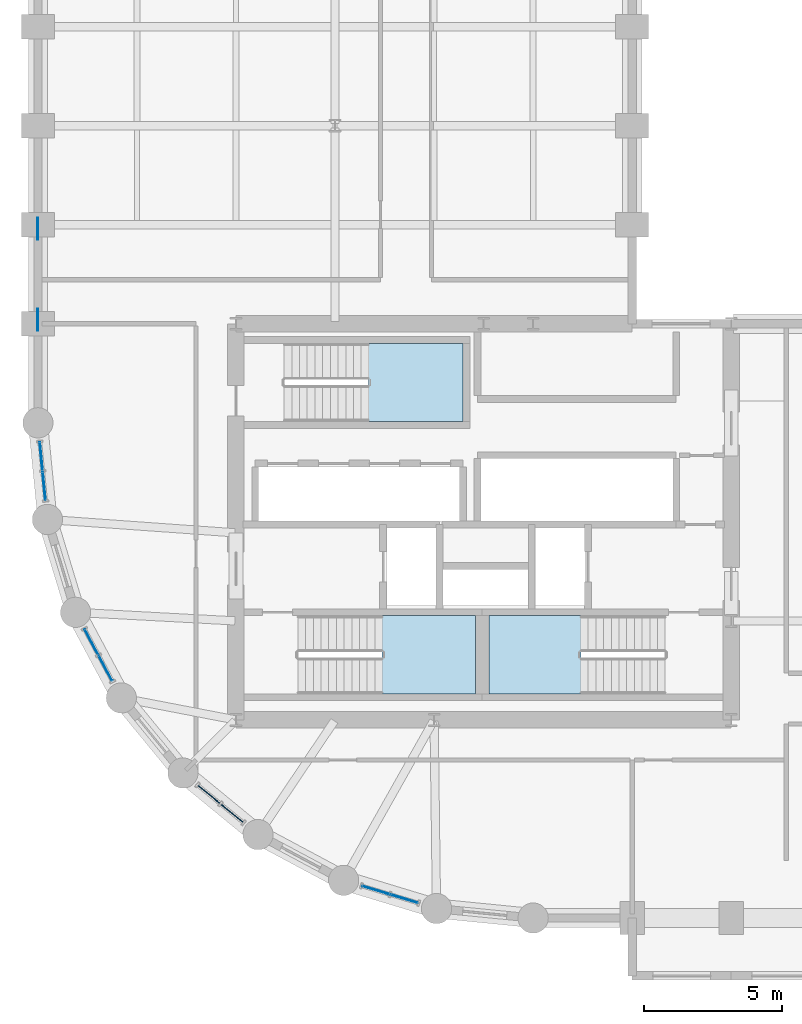
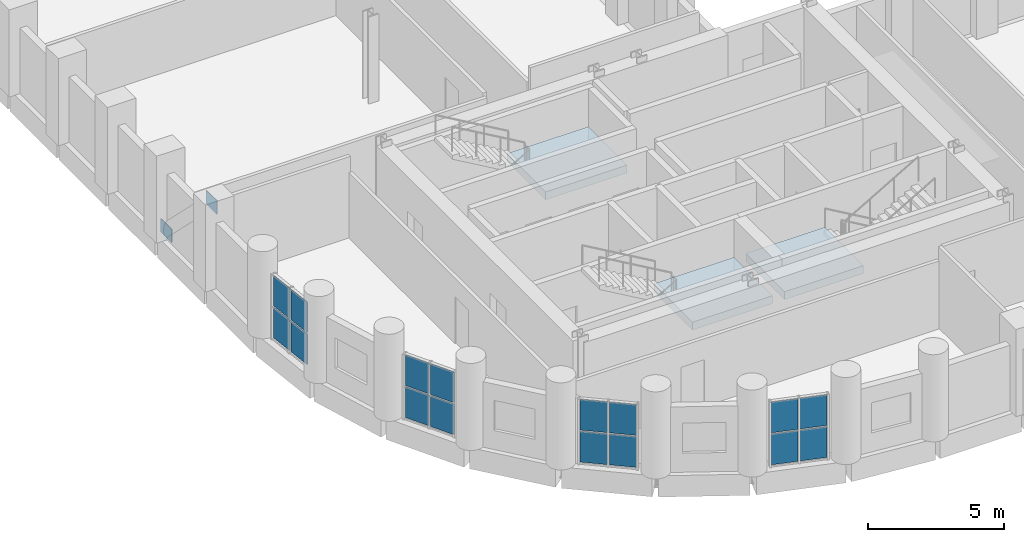
# One storey, part 6 of 12: 18 plates, 3 slabs, 7 elements without a shape of their own.
"""IFC4 building model written with IfcOpenShell, lengths in metres."""

from ifc_helpers import new_model, si_unit, direction, frame, origin, origin_2d, place, context, subcontext, project, spatial, polyline, rectangle, outline, extrude, material, layer, layer_set, type_object, element, aggregate, save


model = new_model("IFC4")

# Units and contexts
model_context = context("Model", 3, precision=1e-05, world=origin(), true_north=direction((0.0, 1.0)))
body_context = subcontext(model_context, "Body", "Model", "MODEL_VIEW")
ifc_project = project(units=[si_unit("LENGTHUNIT", "METRE"), si_unit("AREAUNIT", "SQUARE_METRE"), si_unit("VOLUMEUNIT", "CUBIC_METRE"), si_unit("PLANEANGLEUNIT", "RADIAN"), si_unit("MASSUNIT", "GRAM", prefix="KILO")], contexts=[model_context])

# Site, building, storey
site_placement = place(None, origin())
site = spatial("IfcSite", under=ifc_project, at=site_placement, CompositionType="ELEMENT")
building_placement = place(site_placement, origin())
building = spatial("IfcBuilding", under=site, at=building_placement, Name="Solnavia Interchange Tower", CompositionType="ELEMENT")
storey_placement = place(building_placement, frame((0.0, 0.0, 27.89990234375)))
storey = spatial("IfcBuildingStorey", under=building, at=storey_placement, Name="L06", CompositionType="ELEMENT", Elevation=27.89990234375)

# Curtain wall, plates
ifc_material_1 = material(Name="Aluminium Alloy 6063-T6", Category="aluminium")
ifc_layer_1 = layer(ifc_material_1, 0.239990234375)
ifc_layer_set_1 = layer_set([ifc_layer_1], Name="Aluminium Alloy 6063-T6")
curtain_wall_type = type_object("IfcCurtainWallType", Name="CurtainWall-Drum-CTW2", PredefinedType="NOTDEFINED", material=ifc_layer_set_1)
curtain_wall_1_placement = place(storey_placement, origin())
curtain_wall_1 = element("IfcCurtainWall", 1, at=curtain_wall_1_placement, inside=storey, type_object=curtain_wall_type, Name="CTW-L06-D57 CTW-2 curtain wall", PredefinedType="NOTDEFINED")
ifc_material_2 = material(Name="Double-Glazed Low-E IGU Glass", Category="glass")
ifc_layer_2 = layer(ifc_material_2, 0.031982421875)
ifc_layer_set_2 = layer_set([ifc_layer_2], Name="Double-Glazed Low-E IGU Glass")
plate_type_1 = type_object("IfcPlateType", Name="CW-Panel-Solar-32", PredefinedType="CURTAIN_PANEL", material=ifc_layer_set_2)
plate_1_placement = place(storey_placement, frame((7.319580078125, 20.38623046875, 0.06494140625), z_axis=(0.0, 0.0, 1.0), x_axis=(0.098045297616, -0.995181953019, 0.0)))
plate_1 = element("IfcPlate", 2, at=plate_1_placement, type_object=plate_type_1, Name="CTW-2 panel 1.1", PredefinedType="CURTAIN_PANEL", context=body_context, shape_type="SweptSolid", body=[
    extrude(rectangle(XDim=1.0146484375, YDim=0.031982421875, at=origin_2d()), origin(), (0.0, 0.0, 1.0), 1.367431640625),
])
plate_2_placement = place(storey_placement, frame((7.319580078125, 20.38623046875, 1.49755859375), z_axis=(0.0, 0.0, 1.0), x_axis=(0.098045297616, -0.995181953019, 0.0)))
plate_2 = element("IfcPlate", 3, at=plate_2_placement, type_object=plate_type_1, Name="CTW-2 panel 1.2", PredefinedType="CURTAIN_PANEL", context=body_context, shape_type="SweptSolid", body=[
    extrude(rectangle(XDim=1.0146484375, YDim=0.031982421875, at=origin_2d()), origin(), (0.0, 0.0, 1.0), 1.367431640625),
])
plate_3_placement = place(storey_placement, frame((7.426513671875, 19.3017578125, 0.06494140625), z_axis=(0.0, 0.0, 1.0), x_axis=(0.098045297616, -0.995181953019, 0.0)))
plate_3 = element("IfcPlate", 4, at=plate_3_placement, type_object=plate_type_1, Name="CTW-2 panel 2.1", PredefinedType="CURTAIN_PANEL", context=body_context, shape_type="SweptSolid", body=[
    extrude(rectangle(XDim=1.0146484375, YDim=0.031982421875, at=origin_2d()), origin(), (0.0, 0.0, 1.0), 1.367431640625),
])
plate_4_placement = place(storey_placement, frame((7.426513671875, 19.3017578125, 1.49755859375), z_axis=(0.0, 0.0, 1.0), x_axis=(0.098045297616, -0.995181953019, 0.0)))
plate_4 = element("IfcPlate", 5, at=plate_4_placement, type_object=plate_type_1, Name="CTW-2 panel 2.2", PredefinedType="CURTAIN_PANEL", context=body_context, shape_type="SweptSolid", body=[
    extrude(rectangle(XDim=1.0146484375, YDim=0.031982421875, at=origin_2d()), origin(), (0.0, 0.0, 1.0), 1.367431640625),
])
aggregate(curtain_wall_1, [plate_1, plate_2, plate_3, plate_4])

curtain_wall_2_placement = place(storey_placement, origin())
curtain_wall_2 = element("IfcCurtainWall", 6, at=curtain_wall_2_placement, inside=storey, type_object=curtain_wall_type, Name="CTW-L06-D59 CTW-2 curtain wall", PredefinedType="NOTDEFINED")
plate_5_placement = place(storey_placement, frame((9.14501953125, 13.636474609375, 0.06494140625), z_axis=(0.0, 0.0, 1.0), x_axis=(0.471536719402, -0.881846427818, 0.0)))
plate_5 = element("IfcPlate", 7, at=plate_5_placement, type_object=plate_type_1, Name="CTW-2 panel 1.1", PredefinedType="CURTAIN_PANEL", context=body_context, shape_type="SweptSolid", body=[
    extrude(rectangle(XDim=1.014404296875, YDim=0.031982421875, at=origin_2d()), origin(), (0.0, 0.0, 1.0), 1.367431640625),
])
plate_6_placement = place(storey_placement, frame((9.14501953125, 13.636474609375, 1.49755859375), z_axis=(0.0, 0.0, 1.0), x_axis=(0.471536719402, -0.881846427818, 0.0)))
plate_6 = element("IfcPlate", 8, at=plate_6_placement, type_object=plate_type_1, Name="CTW-2 panel 1.2", PredefinedType="CURTAIN_PANEL", context=body_context, shape_type="SweptSolid", body=[
    extrude(rectangle(XDim=1.014404296875, YDim=0.031982421875, at=origin_2d()), origin(), (0.0, 0.0, 1.0), 1.367431640625),
])
plate_7_placement = place(storey_placement, frame((9.658935546875, 12.675537109375, 0.06494140625), z_axis=(0.0, 0.0, 1.0), x_axis=(0.471536719402, -0.881846427818, 0.0)))
plate_7 = element("IfcPlate", 9, at=plate_7_placement, type_object=plate_type_1, Name="CTW-2 panel 2.1", PredefinedType="CURTAIN_PANEL", context=body_context, shape_type="SweptSolid", body=[
    extrude(rectangle(XDim=1.014404296875, YDim=0.031982421875, at=origin_2d()), origin(), (0.0, 0.0, 1.0), 1.367431640625),
])
plate_8_placement = place(storey_placement, frame((9.658935546875, 12.675537109375, 1.49755859375), z_axis=(0.0, 0.0, 1.0), x_axis=(0.471536719402, -0.881846427818, 0.0)))
plate_8 = element("IfcPlate", 10, at=plate_8_placement, type_object=plate_type_1, Name="CTW-2 panel 2.2", PredefinedType="CURTAIN_PANEL", context=body_context, shape_type="SweptSolid", body=[
    extrude(rectangle(XDim=1.014404296875, YDim=0.031982421875, at=origin_2d()), origin(), (0.0, 0.0, 1.0), 1.367431640625),
])
aggregate(curtain_wall_2, [plate_5, plate_6, plate_7, plate_8])

curtain_wall_3_placement = place(storey_placement, origin())
curtain_wall_3 = element("IfcCurtainWall", 11, at=curtain_wall_3_placement, inside=storey, type_object=curtain_wall_type, Name="CTW-L06-D61 CTW-2 curtain wall", PredefinedType="NOTDEFINED")
plate_9_placement = place(storey_placement, frame((13.4150390625, 8.098388671875, 0.06494140625), z_axis=(0.0, 0.0, 1.0), x_axis=(0.773094572227, -0.634290771172, 0.0)))
plate_9 = element("IfcPlate", 12, at=plate_9_placement, type_object=plate_type_1, Name="CTW-2 panel 1.1", PredefinedType="CURTAIN_PANEL", context=body_context, shape_type="SweptSolid", body=[
    extrude(rectangle(XDim=1.01416015625, YDim=0.031982421875, at=origin_2d()), origin(), (0.0, 0.0, 1.0), 1.367431640625),
])
plate_10_placement = place(storey_placement, frame((13.4150390625, 8.098388671875, 1.49755859375), z_axis=(0.0, 0.0, 1.0), x_axis=(0.773094572227, -0.634290771172, 0.0)))
plate_10 = element("IfcPlate", 13, at=plate_10_placement, type_object=plate_type_1, Name="CTW-2 panel 1.2", PredefinedType="CURTAIN_PANEL", context=body_context, shape_type="SweptSolid", body=[
    extrude(rectangle(XDim=1.01416015625, YDim=0.031982421875, at=origin_2d()), origin(), (0.0, 0.0, 1.0), 1.367431640625),
])
plate_11_placement = place(storey_placement, frame((14.257080078125, 7.407470703125, 0.06494140625), z_axis=(0.0, 0.0, 1.0), x_axis=(0.773094572227, -0.634290771172, 0.0)))
plate_11 = element("IfcPlate", 14, at=plate_11_placement, type_object=plate_type_1, Name="CTW-2 panel 2.1", PredefinedType="CURTAIN_PANEL", context=body_context, shape_type="SweptSolid", body=[
    extrude(rectangle(XDim=1.01416015625, YDim=0.031982421875, at=origin_2d()), origin(), (0.0, 0.0, 1.0), 1.367431640625),
])
plate_12_placement = place(storey_placement, frame((14.257080078125, 7.407470703125, 1.49755859375), z_axis=(0.0, 0.0, 1.0), x_axis=(0.773094572227, -0.634290771172, 0.0)))
plate_12 = element("IfcPlate", 15, at=plate_12_placement, type_object=plate_type_1, Name="CTW-2 panel 2.2", PredefinedType="CURTAIN_PANEL", context=body_context, shape_type="SweptSolid", body=[
    extrude(rectangle(XDim=1.01416015625, YDim=0.031982421875, at=origin_2d()), origin(), (0.0, 0.0, 1.0), 1.367431640625),
])
aggregate(curtain_wall_3, [plate_9, plate_10, plate_11, plate_12])

curtain_wall_4_placement = place(storey_placement, origin())
curtain_wall_4 = element("IfcCurtainWall", 16, at=curtain_wall_4_placement, inside=storey, type_object=curtain_wall_type, Name="CTW-L06-D63 CTW-2 curtain wall", PredefinedType="NOTDEFINED")
plate_13_placement = place(storey_placement, frame((19.47900390625, 4.615966796875, 0.06494140625), z_axis=(0.0, 0.0, 1.0), x_axis=(0.956934759739, -0.290303058206, 0.0)))
plate_13 = element("IfcPlate", 17, at=plate_13_placement, type_object=plate_type_1, Name="CTW-2 panel 1.1", PredefinedType="CURTAIN_PANEL", context=body_context, shape_type="SweptSolid", body=[
    extrude(rectangle(XDim=1.013916015625, YDim=0.031982421875, at=origin_2d()), origin(), (0.0, 0.0, 1.0), 1.367431640625),
])
plate_14_placement = place(storey_placement, frame((19.47900390625, 4.615966796875, 1.49755859375), z_axis=(0.0, 0.0, 1.0), x_axis=(0.956934759739, -0.290303058206, 0.0)))
plate_14 = element("IfcPlate", 18, at=plate_14_placement, type_object=plate_type_1, Name="CTW-2 panel 1.2", PredefinedType="CURTAIN_PANEL", context=body_context, shape_type="SweptSolid", body=[
    extrude(rectangle(XDim=1.013916015625, YDim=0.031982421875, at=origin_2d()), origin(), (0.0, 0.0, 1.0), 1.367431640625),
])
plate_15_placement = place(storey_placement, frame((20.52099609375, 4.300048828125, 0.06494140625), z_axis=(0.0, 0.0, 1.0), x_axis=(0.956934759739, -0.290303058206, 0.0)))
plate_15 = element("IfcPlate", 19, at=plate_15_placement, type_object=plate_type_1, Name="CTW-2 panel 2.1", PredefinedType="CURTAIN_PANEL", context=body_context, shape_type="SweptSolid", body=[
    extrude(rectangle(XDim=1.013916015625, YDim=0.031982421875, at=origin_2d()), origin(), (0.0, 0.0, 1.0), 1.367431640625),
])
plate_16_placement = place(storey_placement, frame((20.52099609375, 4.300048828125, 1.49755859375), z_axis=(0.0, 0.0, 1.0), x_axis=(0.956934759739, -0.290303058206, 0.0)))
plate_16 = element("IfcPlate", 20, at=plate_16_placement, type_object=plate_type_1, Name="CTW-2 panel 2.2", PredefinedType="CURTAIN_PANEL", context=body_context, shape_type="SweptSolid", body=[
    extrude(rectangle(XDim=1.013916015625, YDim=0.031982421875, at=origin_2d()), origin(), (0.0, 0.0, 1.0), 1.367431640625),
])
aggregate(curtain_wall_4, [plate_13, plate_14, plate_15, plate_16])

# Plates
ifc_material_3 = material(Name="Steel S460", Category="steel")
ifc_layer_3 = layer(ifc_material_3, 0.035888671875)
ifc_layer_set_3 = layer_set([ifc_layer_3], Name="Steel S460")
plate_type_2 = type_object("IfcPlateType", Name="Plate-Gusset-800x600x36", PredefinedType="USERDEFINED", material=ifc_layer_set_3)
for number, where, z_axis, x_axis, name in (
    (21, (7.199951171875, 28.659912109375, -0.119873046875), (0.0, 0.0, 1.0), (0.0, -1.0, 0.0), "PLT-L06-GP01 Perimeter brace gusset plate"),
    (22, (7.199951171875, 25.340087890625, 3.170166015625), (0.0, 0.0, 1.0), (0.0, -1.0, 0.0), "PLT-L06-GP02 Perimeter brace gusset plate"),
):
    element("IfcPlate", number, at=place(storey_placement, frame(where, z_axis=z_axis, x_axis=x_axis)), inside=storey, type_object=plate_type_2, Name=name, ObjectType="GUSSET PLATE", PredefinedType="USERDEFINED", context=body_context, shape_type="SweptSolid", body=[
        extrude(rectangle(XDim=0.800048828125, YDim=0.035888671875, at=origin_2d()), origin(), (0.0, 0.0, 1.0), 0.60009765625),
    ])

# Stair, slab
ifc_material_4 = material(Name="Concrete C40/50", Category="concrete")
stair_type = type_object("IfcStairType", Name="Stair-Dogleg-RC", PredefinedType="HALF_TURN_STAIR", material=ifc_material_4)
stair_1_placement = place(storey_placement, origin())
stair_1 = element("IfcStair", 23, at=stair_1_placement, inside=storey, type_object=stair_type, Name="L06 Core exit stair 1", PredefinedType="HALF_TURN_STAIR")
ifc_layer_4 = layer(ifc_material_4, 0.35009765625)
ifc_layer_set_4 = layer_set([ifc_layer_4], Name="Concrete C40/50")
slab_type = type_object("IfcSlabType", Name="Slab-StairLanding-350", PredefinedType="LANDING", material=ifc_layer_set_4)
slab_1_placement = place(storey_placement, frame((0.0, 0.0, 1.60009765625)))
slab_1 = element("IfcSlab", 24, at=slab_1_placement, type_object=slab_type, Name="ST-1 landing 1", PredefinedType="LANDING", context=body_context, shape_type="SweptSolid", body=[
    extrude(outline(polyline([(19.7080078125, 11.75), (23.10009765625, 11.75), (23.10009765625, 14.590087890625), (19.7080078125, 14.590087890625), (19.7080078125, 11.75)])), origin(), (0.0, 0.0, 1.0), 0.35009765625),
])
aggregate(stair_1, [slab_1])

stair_2_placement = place(storey_placement, origin())
stair_2 = element("IfcStair", 25, at=stair_2_placement, inside=storey, type_object=stair_type, Name="L06 Core exit stair 2", PredefinedType="HALF_TURN_STAIR")
slab_2_placement = place(storey_placement, frame((0.0, 0.0, 1.60009765625)))
slab_2 = element("IfcSlab", 26, at=slab_2_placement, type_object=slab_type, Name="ST-2 landing 1", PredefinedType="LANDING", context=body_context, shape_type="SweptSolid", body=[
    extrude(outline(polyline([(23.60009765625, 11.75), (26.94189453125, 11.75), (26.94189453125, 14.590087890625), (23.60009765625, 14.590087890625), (23.60009765625, 11.75)])), origin(), (0.0, 0.0, 1.0), 0.35009765625),
])
aggregate(stair_2, [slab_2])

stair_3_placement = place(storey_placement, origin())
stair_3 = element("IfcStair", 27, at=stair_3_placement, inside=storey, type_object=stair_type, Name="L06 Core exit stair 3", PredefinedType="HALF_TURN_STAIR")
slab_3_placement = place(storey_placement, frame((0.0, 0.0, 1.60009765625)))
slab_3 = element("IfcSlab", 28, at=slab_3_placement, type_object=slab_type, Name="ST-3 landing 1", PredefinedType="LANDING", context=body_context, shape_type="SweptSolid", body=[
    extrude(outline(polyline([(19.2080078125, 21.64990234375), (22.64990234375, 21.64990234375), (22.64990234375, 24.489990234375), (19.2080078125, 24.489990234375), (19.2080078125, 21.64990234375)])), origin(), (0.0, 0.0, 1.0), 0.35009765625),
])
aggregate(stair_3, [slab_3])

save(model, "model.ifc")
